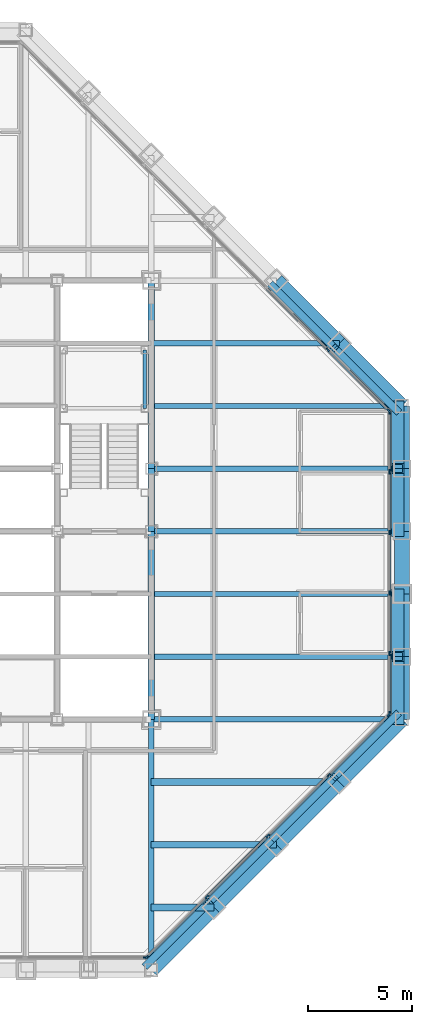
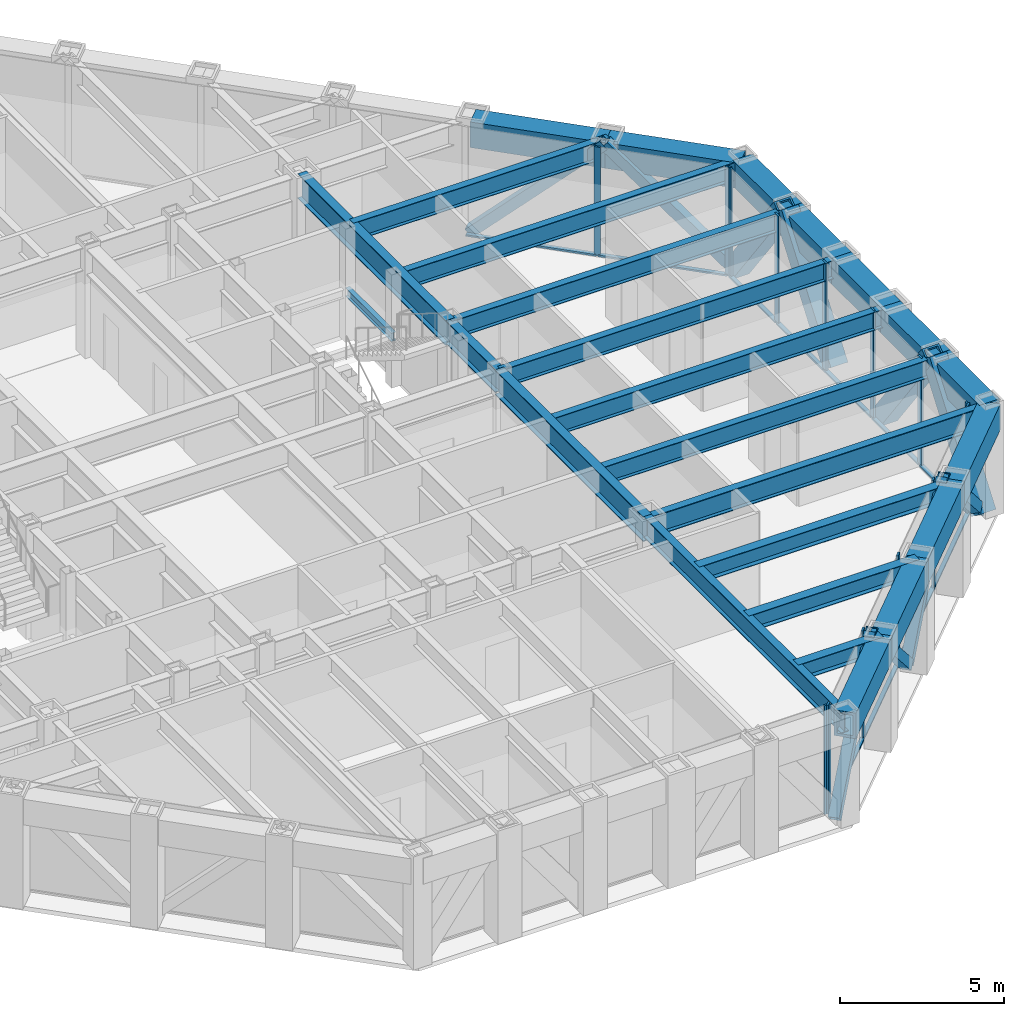
# One storey, part 7 of 16: 35 members, 26 beams, 4 elements without a shape of their own.
"""IFC4 building model written with IfcOpenShell, lengths in metres."""

from ifc_helpers import new_model, si_unit, direction, frame, origin, origin_2d, place, context, subcontext, project, spatial, rectangle, hollow_rectangle, i_section, extrude, material, layer, layer_set, material_profile, profile_set, type_object, element, aggregate, save


model = new_model("IFC4")

# Units and contexts
model_context = context("Model", 3, precision=1e-05, world=origin(), true_north=direction((0.0, 1.0)))
body_context = subcontext(model_context, "Body", "Model", "MODEL_VIEW")
ifc_project = project(units=[si_unit("LENGTHUNIT", "METRE"), si_unit("AREAUNIT", "SQUARE_METRE"), si_unit("VOLUMEUNIT", "CUBIC_METRE"), si_unit("PLANEANGLEUNIT", "RADIAN"), si_unit("MASSUNIT", "GRAM", prefix="KILO")], contexts=[model_context])

# Site, building, storey
site_placement = place(None, origin())
site = spatial("IfcSite", under=ifc_project, at=site_placement, CompositionType="ELEMENT")
building_placement = place(site_placement, origin())
building = spatial("IfcBuilding", under=site, at=building_placement, Name="Chuquiago Exchange Tower", CompositionType="ELEMENT")
storey_placement = place(building_placement, frame((0.0, 0.0, 243.300048828125)))
storey = spatial("IfcBuildingStorey", under=building, at=storey_placement, Name="L54", CompositionType="ELEMENT", Elevation=243.300048828125)

# Beams
ifc_material_1 = material(Name="Steel ASTM A992", Category="steel")
ifc_material_profile_1 = material_profile(ifc_material_1, i_section(OverallWidth=0.25390625, OverallDepth=0.683349609375, WebThickness=0.012451171875, FlangeThickness=0.018798828125, at=origin_2d()), Name="W27X94")
ifc_profile_set_1 = profile_set([ifc_material_profile_1], Name="Steel ASTM A992")
beam_type_1 = type_object("IfcBeamType", Name="B1 W27X94", PredefinedType="BEAM", material=ifc_profile_set_1)
for number, where, z_axis, x_axis, name in (
    (1, (33.0, 15.0, 3.6982421875), (1.0, 0.0, 0.0), (0.0, 1.0, 0.0), "FB-L55-infill-33_15-45_15-0"),
    (2, (33.0, 18.0, 3.6982421875), (1.0, 0.0, 0.0), (0.0, 1.0, 0.0), "FB-L55-infill-33_18-45_18-0"),
    (3, (33.0, 21.0, 3.6982421875), (1.0, 0.0, 0.0), (0.0, 1.0, 0.0), "FB-L55-infill-33_21-45_21-0"),
    (4, (33.0, 24.0, 3.6982421875), (1.0, 0.0, 0.0), (0.0, 1.0, 0.0), "FB-L55-infill-33_24-45_24-0"),
    (5, (33.0, 27.0, 3.6982421875), (1.0, 0.0, 0.0), (0.0, 1.0, 0.0), "FB-L55-infill-33_27-45_27-0"),
):
    element("IfcBeam", number, at=place(storey_placement, frame(where, z_axis=z_axis, x_axis=x_axis)), inside=storey, type_object=beam_type_1, Name=name, PredefinedType="BEAM", context=body_context, shape_type="SweptSolid", body=[
        extrude(i_section(OverallWidth=0.25390625, OverallDepth=0.683349609375, WebThickness=0.012451171875, FlangeThickness=0.018798828125, at=origin_2d()), origin(), (0.0, 0.0, 1.0), 12.0),
    ])
beam_1_placement = place(storey_placement, frame((33.0, 30.0, 3.6982421875), z_axis=(1.0, 0.0, 0.0), x_axis=(0.0, 1.0, 0.0)))
element("IfcBeam", 6, at=beam_1_placement, inside=storey, type_object=beam_type_1, Name="FB-L55-infill-33_30-42_30-0", PredefinedType="BEAM", context=body_context, shape_type="SweptSolid", body=[
    extrude(i_section(OverallWidth=0.25390625, OverallDepth=0.683349609375, WebThickness=0.012451171875, FlangeThickness=0.018798828125, at=origin_2d()), origin(), (0.0, 0.0, 1.0), 9.0),
])
ifc_material_2 = material(Name="Steel ASTM A992", Category="steel")
ifc_material_profile_2 = material_profile(ifc_material_2, i_section(OverallWidth=0.307373046875, OverallDepth=0.927001953125, WebThickness=0.01953125, FlangeThickness=0.031982421875, at=origin_2d()), Name="W36X194")
ifc_profile_set_2 = profile_set([ifc_material_profile_2], Name="Steel ASTM A992")
beam_type_2 = type_object("IfcBeamType", Name="B10 W36X194", PredefinedType="BEAM", material=ifc_profile_set_2)
for number, where, z_axis, x_axis, name in (
    (7, (33.0, 12.0, 3.576416015625), (0.0, 1.0, 0.0), (-1.0, 0.0, 0.0), "CB-L55-33_12-33_21"),
    (8, (33.0, 24.0, 3.576416015625), (0.0, 1.0, 0.0), (-1.0, 0.0, 0.0), "CB-L55-33_24-33_33"),
):
    element("IfcBeam", number, at=place(storey_placement, frame(where, z_axis=z_axis, x_axis=x_axis)), inside=storey, type_object=beam_type_2, Name=name, PredefinedType="BEAM", context=body_context, shape_type="SweptSolid", body=[
        extrude(i_section(OverallWidth=0.307373046875, OverallDepth=0.927001953125, WebThickness=0.01953125, FlangeThickness=0.031982421875, at=origin_2d()), origin(), (0.0, 0.0, 1.0), 9.0),
    ])
ifc_material_3 = material(Name="Steel ASTM A992", Category="steel")
ifc_material_profile_3 = material_profile(ifc_material_3, i_section(OverallWidth=0.3251953125, OverallDepth=0.612060546875, WebThickness=0.0126953125, FlangeThickness=0.01904296875, at=origin_2d()), Name="W24X104")
ifc_profile_set_3 = profile_set([ifc_material_profile_3], Name="Steel ASTM A992")
beam_type_3 = type_object("IfcBeamType", Name="B2 W24X104", PredefinedType="BEAM", material=ifc_profile_set_3)
beam_2_placement = place(storey_placement, frame((33.0, 3.0, 3.73388671875), z_axis=(1.0, 0.0, 0.0), x_axis=(0.0, 1.0, 0.0)))
element("IfcBeam", 9, at=beam_2_placement, inside=storey, type_object=beam_type_3, Name="FB-L55-corner-33_3-36_3-0", PredefinedType="BEAM", context=body_context, shape_type="SweptSolid", body=[
    extrude(i_section(OverallWidth=0.3251953125, OverallDepth=0.612060546875, WebThickness=0.0126953125, FlangeThickness=0.01904296875, at=origin_2d()), origin(), (0.0, 0.0, 1.0), 3.0),
])
beam_3_placement = place(storey_placement, frame((33.0, 6.0, 3.73388671875), z_axis=(1.0, 0.0, 0.0), x_axis=(0.0, 1.0, 0.0)))
element("IfcBeam", 10, at=beam_3_placement, inside=storey, type_object=beam_type_3, Name="FB-L55-corner-33_6-39_6-0", PredefinedType="BEAM", context=body_context, shape_type="SweptSolid", body=[
    extrude(i_section(OverallWidth=0.3251953125, OverallDepth=0.612060546875, WebThickness=0.0126953125, FlangeThickness=0.01904296875, at=origin_2d()), origin(), (0.0, 0.0, 1.0), 6.0),
])
beam_4_placement = place(storey_placement, frame((33.0, 9.0, 3.73388671875), z_axis=(1.0, 0.0, 0.0), x_axis=(0.0, 1.0, 0.0)))
element("IfcBeam", 11, at=beam_4_placement, inside=storey, type_object=beam_type_3, Name="FB-L55-corner-33_9-42_9-0", PredefinedType="BEAM", context=body_context, shape_type="SweptSolid", body=[
    extrude(i_section(OverallWidth=0.3251953125, OverallDepth=0.612060546875, WebThickness=0.0126953125, FlangeThickness=0.01904296875, at=origin_2d()), origin(), (0.0, 0.0, 1.0), 9.0),
])
ifc_material_4 = material(Name="Steel ASTM A992", Category="steel")
ifc_material_profile_4 = material_profile(ifc_material_4, i_section(OverallWidth=0.2919921875, OverallDepth=0.8583984375, WebThickness=0.01708984375, FlangeThickness=0.031005859375, at=origin_2d()), Name="W33X169")
ifc_profile_set_4 = profile_set([ifc_material_profile_4], Name="Steel ASTM A992")
beam_type_4 = type_object("IfcBeamType", Name="B3 W33X169", PredefinedType="BEAM", material=ifc_profile_set_4)
beam_5_placement = place(storey_placement, frame((33.0, 21.0, 3.610595703125), z_axis=(0.0, 1.0, 0.0), x_axis=(-1.0, 0.0, 0.0)))
element("IfcBeam", 12, at=beam_5_placement, inside=storey, type_object=beam_type_4, Name="CB-L55-33_21-33_24", PredefinedType="BEAM", context=body_context, shape_type="SweptSolid", body=[
    extrude(i_section(OverallWidth=0.2919921875, OverallDepth=0.8583984375, WebThickness=0.01708984375, FlangeThickness=0.031005859375, at=origin_2d()), origin(), (0.0, 0.0, 1.0), 3.0),
])

# Curtain wall, member
ifc_material_5 = material(Name="Aluminium curtain wall system", Category="aluminium")
ifc_layer_1 = layer(ifc_material_5, 0.22509765625)
ifc_layer_set_1 = layer_set([ifc_layer_1], Name="CW2 office curtain wall")
curtain_wall_type_1 = type_object("IfcCurtainWallType", Name="CW2 office curtain wall", PredefinedType="NOTDEFINED", material=ifc_layer_set_1)
curtain_wall_1_placement = place(storey_placement, origin())
curtain_wall_1 = element("IfcCurtainWall", 13, at=curtain_wall_1_placement, inside=storey, type_object=curtain_wall_type_1, Name="CW2 curtain wall L54", PredefinedType="NOTDEFINED")
ifc_material_6 = material(Name="Aluminium mullion, pale anodised", Category="aluminium")
ifc_material_profile_5 = material_profile(ifc_material_6, rectangle(XDim=0.06494140625, YDim=0.22509765625, at=origin_2d()), Name="AL 65x225")
ifc_profile_set_5 = profile_set([ifc_material_profile_5], Name="Aluminium mullion, pale anodised")
member_type_1 = type_object("IfcMemberType", Name="CW2-M mullion 65x225", PredefinedType="MULLION", material=ifc_profile_set_5)
member_1_placement = place(storey_placement, frame((32.718994140625, 0.60009765625, 0.0), z_axis=(0.0, 0.0, 1.0), x_axis=(0.0, 1.0, 0.0)))
member_1 = element("IfcMember", 14, at=member_1_placement, type_object=member_type_1, Name="CW2 mullion 6", PredefinedType="MULLION", context=body_context, shape_type="SweptSolid", body=[
    extrude(rectangle(XDim=0.06494140625, YDim=0.22509765625, at=origin_2d()), origin(), (0.0, 0.0, 1.0), 4.0400390625),
])
aggregate(curtain_wall_1, [member_1])

# Curtain wall, members
curtain_wall_2_placement = place(storey_placement, origin())
curtain_wall_2 = element("IfcCurtainWall", 15, at=curtain_wall_2_placement, inside=storey, type_object=curtain_wall_type_1, Name="CW2 curtain wall L54", PredefinedType="NOTDEFINED")
member_2_placement = place(storey_placement, frame((44.39990234375, 12.281005859375, 0.0), z_axis=(0.0, 0.0, 1.0), x_axis=(-1.0, 0.0, 0.0)))
member_2 = element("IfcMember", 16, at=member_2_placement, type_object=member_type_1, Name="CW2 mullion 1", PredefinedType="MULLION", context=body_context, shape_type="SweptSolid", body=[
    extrude(rectangle(XDim=0.06494140625, YDim=0.22509765625, at=origin_2d()), origin(), (0.0, 0.0, 1.0), 4.0400390625),
])
member_3_placement = place(storey_placement, frame((44.39990234375, 15.149169921875, 0.0), z_axis=(0.0, 0.0, 1.0), x_axis=(-1.0, 0.0, 0.0)))
member_3 = element("IfcMember", 17, at=member_3_placement, type_object=member_type_1, Name="CW2 mullion 2", PredefinedType="MULLION", context=body_context, shape_type="SweptSolid", body=[
    extrude(rectangle(XDim=0.06494140625, YDim=0.22509765625, at=origin_2d()), origin(), (0.0, 0.0, 1.0), 4.0400390625),
])
member_4_placement = place(storey_placement, frame((44.39990234375, 18.0498046875, 0.0), z_axis=(0.0, 0.0, 1.0), x_axis=(-1.0, 0.0, 0.0)))
member_4 = element("IfcMember", 18, at=member_4_placement, type_object=member_type_1, Name="CW2 mullion 3", PredefinedType="MULLION", context=body_context, shape_type="SweptSolid", body=[
    extrude(rectangle(XDim=0.06494140625, YDim=0.22509765625, at=origin_2d()), origin(), (0.0, 0.0, 1.0), 4.0400390625),
])
member_5_placement = place(storey_placement, frame((44.39990234375, 20.9501953125, 0.0), z_axis=(0.0, 0.0, 1.0), x_axis=(-1.0, 0.0, 0.0)))
member_5 = element("IfcMember", 19, at=member_5_placement, type_object=member_type_1, Name="CW2 mullion 4", PredefinedType="MULLION", context=body_context, shape_type="SweptSolid", body=[
    extrude(rectangle(XDim=0.06494140625, YDim=0.22509765625, at=origin_2d()), origin(), (0.0, 0.0, 1.0), 4.0400390625),
])
member_6_placement = place(storey_placement, frame((44.39990234375, 23.850830078125, 0.0), z_axis=(0.0, 0.0, 1.0), x_axis=(-1.0, 0.0, 0.0)))
member_6 = element("IfcMember", 20, at=member_6_placement, type_object=member_type_1, Name="CW2 mullion 5", PredefinedType="MULLION", context=body_context, shape_type="SweptSolid", body=[
    extrude(rectangle(XDim=0.06494140625, YDim=0.22509765625, at=origin_2d()), origin(), (0.0, 0.0, 1.0), 4.0400390625),
])
member_7_placement = place(storey_placement, frame((44.39990234375, 26.718994140625, 0.0), z_axis=(0.0, 0.0, 1.0), x_axis=(-1.0, 0.0, 0.0)))
member_7 = element("IfcMember", 21, at=member_7_placement, type_object=member_type_1, Name="CW2 mullion 6", PredefinedType="MULLION", context=body_context, shape_type="SweptSolid", body=[
    extrude(rectangle(XDim=0.06494140625, YDim=0.22509765625, at=origin_2d()), origin(), (0.0, 0.0, 1.0), 4.0400390625),
])
ifc_material_7 = material(Name="Aluminium transom, pale anodised", Category="aluminium")
ifc_material_profile_6 = material_profile(ifc_material_7, rectangle(XDim=0.139892578125, YDim=0.06494140625, at=origin_2d()), Name="AL 140x65")
ifc_profile_set_6 = profile_set([ifc_material_profile_6], Name="Aluminium transom, pale anodised")
member_type_2 = type_object("IfcMemberType", Name="CW2-T transom 65x140", PredefinedType="MULLION", material=ifc_profile_set_6)
member_8_placement = place(storey_placement, frame((44.39990234375, 12.3134765625, 0.032470703125), z_axis=(0.0, 1.0, 0.0), x_axis=(-1.0, 0.0, 0.0)))
member_8 = element("IfcMember", 22, at=member_8_placement, type_object=member_type_2, Name="CW2 transom 1.1", PredefinedType="MULLION", context=body_context, shape_type="SweptSolid", body=[
    extrude(rectangle(XDim=0.139892578125, YDim=0.06494140625, at=origin_2d()), origin(), (0.0, 0.0, 1.0), 2.80322265625),
])
member_9_placement = place(storey_placement, frame((44.39990234375, 15.181640625, 0.032470703125), z_axis=(0.0, 1.0, 0.0), x_axis=(-1.0, 0.0, 0.0)))
member_9 = element("IfcMember", 23, at=member_9_placement, type_object=member_type_2, Name="CW2 transom 2.1", PredefinedType="MULLION", context=body_context, shape_type="SweptSolid", body=[
    extrude(rectangle(XDim=0.139892578125, YDim=0.06494140625, at=origin_2d()), origin(), (0.0, 0.0, 1.0), 2.83544921875),
])
member_10_placement = place(storey_placement, frame((44.39990234375, 18.082275390625, 0.032470703125), z_axis=(0.0, 1.0, 0.0), x_axis=(-1.0, 0.0, 0.0)))
member_10 = element("IfcMember", 24, at=member_10_placement, type_object=member_type_2, Name="CW2 transom 3.1", PredefinedType="MULLION", context=body_context, shape_type="SweptSolid", body=[
    extrude(rectangle(XDim=0.139892578125, YDim=0.06494140625, at=origin_2d()), origin(), (0.0, 0.0, 1.0), 2.83544921875),
])
member_11_placement = place(storey_placement, frame((44.39990234375, 20.98291015625, 0.032470703125), z_axis=(0.0, 1.0, 0.0), x_axis=(-1.0, 0.0, 0.0)))
member_11 = element("IfcMember", 25, at=member_11_placement, type_object=member_type_2, Name="CW2 transom 4.1", PredefinedType="MULLION", context=body_context, shape_type="SweptSolid", body=[
    extrude(rectangle(XDim=0.139892578125, YDim=0.06494140625, at=origin_2d()), origin(), (0.0, 0.0, 1.0), 2.83544921875),
])
member_12_placement = place(storey_placement, frame((44.39990234375, 23.88330078125, 0.032470703125), z_axis=(0.0, 1.0, 0.0), x_axis=(-1.0, 0.0, 0.0)))
member_12 = element("IfcMember", 26, at=member_12_placement, type_object=member_type_2, Name="CW2 transom 5.1", PredefinedType="MULLION", context=body_context, shape_type="SweptSolid", body=[
    extrude(rectangle(XDim=0.139892578125, YDim=0.06494140625, at=origin_2d()), origin(), (0.0, 0.0, 1.0), 2.80322265625),
])
aggregate(curtain_wall_2, [member_2, member_3, member_4, member_5, member_6, member_7, member_8, member_9, member_10, member_11, member_12])

ifc_material_8 = material(Name="Aluminium curtain wall system", Category="aluminium")
ifc_layer_2 = layer(ifc_material_8, 0.199951171875)
ifc_layer_set_2 = layer_set([ifc_layer_2], Name="CW3 facet curtain wall")
curtain_wall_type_2 = type_object("IfcCurtainWallType", Name="CW3 facet curtain wall", PredefinedType="NOTDEFINED", material=ifc_layer_set_2)
curtain_wall_3_placement = place(storey_placement, origin())
curtain_wall_3 = element("IfcCurtainWall", 27, at=curtain_wall_3_placement, inside=storey, type_object=curtain_wall_type_2, Name="CW3 curtain wall L54", PredefinedType="NOTDEFINED")
ifc_material_9 = material(Name="Aluminium mullion, pale anodised", Category="aluminium")
ifc_material_profile_7 = material_profile(ifc_material_9, rectangle(XDim=0.06494140625, YDim=0.199951171875, at=origin_2d()), Name="AL 65x200")
ifc_profile_set_7 = profile_set([ifc_material_profile_7], Name="Aluminium mullion, pale anodised")
member_type_3 = type_object("IfcMemberType", Name="CW3-M mullion 65x200", PredefinedType="MULLION", material=ifc_profile_set_7)
member_13_placement = place(storey_placement, frame((32.7744140625, 0.623046875, 0.0), z_axis=(0.0, 0.0, 1.0), x_axis=(-0.707106781187, 0.707106781187, 0.0)))
member_13 = element("IfcMember", 28, at=member_13_placement, type_object=member_type_3, Name="CW3 mullion 1", PredefinedType="MULLION", context=body_context, shape_type="SweptSolid", body=[
    extrude(rectangle(XDim=0.06494140625, YDim=0.199951171875, at=origin_2d()), origin(), (0.0, 0.0, 1.0), 4.0400390625),
])
member_14_placement = place(storey_placement, frame((35.66357421875, 3.51220703125, 0.0), z_axis=(0.0, 0.0, 1.0), x_axis=(-0.707106781187, 0.707106781187, 0.0)))
member_14 = element("IfcMember", 29, at=member_14_placement, type_object=member_type_3, Name="CW3 mullion 2", PredefinedType="MULLION", context=body_context, shape_type="SweptSolid", body=[
    extrude(rectangle(XDim=0.06494140625, YDim=0.199951171875, at=origin_2d()), origin(), (0.0, 0.0, 1.0), 4.0400390625),
])
member_15_placement = place(storey_placement, frame((38.57568359375, 6.42431640625, 0.0), z_axis=(0.0, 0.0, 1.0), x_axis=(-0.707106781187, 0.707106781187, 0.0)))
member_15 = element("IfcMember", 30, at=member_15_placement, type_object=member_type_3, Name="CW3 mullion 3", PredefinedType="MULLION", context=body_context, shape_type="SweptSolid", body=[
    extrude(rectangle(XDim=0.06494140625, YDim=0.199951171875, at=origin_2d()), origin(), (0.0, 0.0, 1.0), 4.0400390625),
])
member_16_placement = place(storey_placement, frame((41.48779296875, 9.33642578125, 0.0), z_axis=(0.0, 0.0, 1.0), x_axis=(-0.707106781187, 0.707106781187, 0.0)))
member_16 = element("IfcMember", 31, at=member_16_placement, type_object=member_type_3, Name="CW3 mullion 4", PredefinedType="MULLION", context=body_context, shape_type="SweptSolid", body=[
    extrude(rectangle(XDim=0.06494140625, YDim=0.199951171875, at=origin_2d()), origin(), (0.0, 0.0, 1.0), 4.0400390625),
])
member_17_placement = place(storey_placement, frame((44.376953125, 12.2255859375, 0.0), z_axis=(0.0, 0.0, 1.0), x_axis=(-0.707106781187, 0.707106781187, 0.0)))
member_17 = element("IfcMember", 32, at=member_17_placement, type_object=member_type_3, Name="CW3 mullion 5", PredefinedType="MULLION", context=body_context, shape_type="SweptSolid", body=[
    extrude(rectangle(XDim=0.06494140625, YDim=0.199951171875, at=origin_2d()), origin(), (0.0, 0.0, 1.0), 4.0400390625),
])

curtain_wall_4_placement = place(storey_placement, origin())
curtain_wall_4 = element("IfcCurtainWall", 33, at=curtain_wall_4_placement, inside=storey, type_object=curtain_wall_type_2, Name="CW3 curtain wall L54", PredefinedType="NOTDEFINED")
member_18_placement = place(storey_placement, frame((44.376953125, 26.7744140625, 0.0), z_axis=(0.0, 0.0, 1.0), x_axis=(-0.707106781187, -0.707106781187, 0.0)))
member_18 = element("IfcMember", 34, at=member_18_placement, type_object=member_type_3, Name="CW3 mullion 1", PredefinedType="MULLION", context=body_context, shape_type="SweptSolid", body=[
    extrude(rectangle(XDim=0.06494140625, YDim=0.199951171875, at=origin_2d()), origin(), (0.0, 0.0, 1.0), 4.0400390625),
])
member_19_placement = place(storey_placement, frame((41.45849609375, 29.69287109375, 0.0), z_axis=(0.0, 0.0, 1.0), x_axis=(-0.707106781187, -0.707106781187, 0.0)))
member_19 = element("IfcMember", 35, at=member_19_placement, type_object=member_type_3, Name="CW3 mullion 2", PredefinedType="MULLION", context=body_context, shape_type="SweptSolid", body=[
    extrude(rectangle(XDim=0.06494140625, YDim=0.199951171875, at=origin_2d()), origin(), (0.0, 0.0, 1.0), 4.0400390625),
])

# Member
ifc_material_10 = material(Name="Aluminium transom, pale anodised", Category="aluminium")
ifc_material_profile_8 = material_profile(ifc_material_10, rectangle(XDim=0.139892578125, YDim=0.06494140625, at=origin_2d()), Name="AL 140x65")
ifc_profile_set_8 = profile_set([ifc_material_profile_8], Name="Aluminium transom, pale anodised")
member_type_4 = type_object("IfcMemberType", Name="CW3-T transom 65x140", PredefinedType="MULLION", material=ifc_profile_set_8)
member_20_placement = place(storey_placement, frame((32.79736328125, 0.64599609375, 0.032470703125), z_axis=(0.707106781187, 0.707106781187, 0.0), x_axis=(-0.707106781187, 0.707106781187, 0.0)))
member_20 = element("IfcMember", 36, at=member_20_placement, type_object=member_type_4, Name="CW3 transom 1.1", PredefinedType="MULLION", context=body_context, shape_type="SweptSolid", body=[
    extrude(rectangle(XDim=0.139892578125, YDim=0.06494140625, at=origin_2d()), origin(), (0.0, 0.0, 1.0), 4.02099609375),
])

member_21_placement = place(storey_placement, frame((35.6865234375, 3.53515625, 0.032470703125), z_axis=(0.707106781187, 0.707106781187, 0.0), x_axis=(-0.707106781187, 0.707106781187, 0.0)))
member_21 = element("IfcMember", 37, at=member_21_placement, type_object=member_type_4, Name="CW3 transom 2.1", PredefinedType="MULLION", context=body_context, shape_type="SweptSolid", body=[
    extrude(rectangle(XDim=0.139892578125, YDim=0.06494140625, at=origin_2d()), origin(), (0.0, 0.0, 1.0), 4.053466796875),
])

member_22_placement = place(storey_placement, frame((38.5986328125, 6.447265625, 0.032470703125), z_axis=(0.707106781187, 0.707106781187, 0.0), x_axis=(-0.707106781187, 0.707106781187, 0.0)))
member_22 = element("IfcMember", 38, at=member_22_placement, type_object=member_type_4, Name="CW3 transom 3.1", PredefinedType="MULLION", context=body_context, shape_type="SweptSolid", body=[
    extrude(rectangle(XDim=0.139892578125, YDim=0.06494140625, at=origin_2d()), origin(), (0.0, 0.0, 1.0), 4.053466796875),
])

member_23_placement = place(storey_placement, frame((41.5107421875, 9.359375, 0.032470703125), z_axis=(0.707106781187, 0.707106781187, 0.0), x_axis=(-0.707106781187, 0.707106781187, 0.0)))
member_23 = element("IfcMember", 39, at=member_23_placement, type_object=member_type_4, Name="CW3 transom 4.1", PredefinedType="MULLION", context=body_context, shape_type="SweptSolid", body=[
    extrude(rectangle(XDim=0.139892578125, YDim=0.06494140625, at=origin_2d()), origin(), (0.0, 0.0, 1.0), 4.02099609375),
])

aggregate(curtain_wall_3, [member_13, member_14, member_15, member_16, member_17, member_20, member_21, member_22, member_23])

member_24_placement = place(storey_placement, frame((44.35400390625, 26.79736328125, 0.032470703125), z_axis=(-0.707106781187, 0.707106781187, 0.0), x_axis=(-0.707106781187, -0.707106781187, 0.0)))
member_24 = element("IfcMember", 40, at=member_24_placement, type_object=member_type_4, Name="CW3 transom 1.1", PredefinedType="MULLION", context=body_context, shape_type="SweptSolid", body=[
    extrude(rectangle(XDim=0.139892578125, YDim=0.06494140625, at=origin_2d()), origin(), (0.0, 0.0, 1.0), 4.0625),
])

member_25_placement = place(storey_placement, frame((41.435546875, 29.7158203125, 0.032470703125), z_axis=(-0.707106781187, 0.707106781187, 0.0), x_axis=(-0.707106781187, -0.707106781187, 0.0)))
member_25 = element("IfcMember", 41, at=member_25_placement, type_object=member_type_4, Name="CW3 transom 2.1", PredefinedType="MULLION", context=body_context, shape_type="SweptSolid", body=[
    extrude(rectangle(XDim=0.139892578125, YDim=0.06494140625, at=origin_2d()), origin(), (0.0, 0.0, 1.0), 4.094970703125),
])

aggregate(curtain_wall_4, [member_18, member_19, member_24, member_25])

# Beams
ifc_material_11 = material(Name="Steel ASTM A992", Category="steel")
ifc_material_profile_9 = material_profile(ifc_material_11, i_section(OverallWidth=0.2666015625, OverallDepth=0.76953125, WebThickness=0.015625, FlangeThickness=0.025390625, at=origin_2d()), Name="W30X132")
ifc_profile_set_9 = profile_set([ifc_material_profile_9], Name="Steel ASTM A992")
beam_type_5 = type_object("IfcBeamType", Name="G1 W30X132", PredefinedType="BEAM", material=ifc_profile_set_9)
for number, where, z_axis, x_axis, name in (
    (42, (33.0, 12.0, 3.655029296875), (0.0, -1.0, 0.0), (1.0, 0.0, 0.0), "FB-L55-girder-33_12-33_-0-0"),
    (43, (33.0, 12.0, 3.655029296875), (1.0, 0.0, 0.0), (0.0, 1.0, 0.0), "FB-L55-girder-33_12-45_12-0"),
):
    element("IfcBeam", number, at=place(storey_placement, frame(where, z_axis=z_axis, x_axis=x_axis)), inside=storey, type_object=beam_type_5, Name=name, PredefinedType="BEAM", context=body_context, shape_type="SweptSolid", body=[
        extrude(i_section(OverallWidth=0.2666015625, OverallDepth=0.76953125, WebThickness=0.015625, FlangeThickness=0.025390625, at=origin_2d()), origin(), (0.0, 0.0, 1.0), 12.0),
    ])

# Members
ifc_material_12 = material(Name="Steel ASTM A500 Grade C", Category="steel")
ifc_material_profile_10 = material_profile(ifc_material_12, hollow_rectangle(XDim=0.355712890625, YDim=0.355712890625, WallThickness=0.0146484375, at=origin_2d()), Name="HSS14X14X5/8")
ifc_profile_set_10 = profile_set([ifc_material_profile_10], Name="Steel ASTM A500 Grade C")
member_type_5 = type_object("IfcMemberType", Name="LB2 HSS14X14X5/8", PredefinedType="BRACE", material=ifc_profile_set_10)
for number, where, z_axis, x_axis, name in (
    (44, (32.7685546875, 0.2314453125, 0.0), (0.512077265487, 0.512077265487, 0.689604051861), (-0.707106781187, 0.707106781187, 0.0), "LB-L54-33_0-36_3"),
    (45, (38.7685546875, 6.2314453125, 0.0), (-0.512077265487, -0.512077265487, 0.689604051861), (0.707106781187, -0.707106781187, 0.0), "LB-L54-36_3-39_6"),
    (46, (38.7685546875, 6.2314453125, 0.0), (0.512077265487, 0.512077265487, 0.689604051861), (-0.707106781187, 0.707106781187, 0.0), "LB-L54-39_6-42_9"),
    (47, (44.7685546875, 12.2314453125, 0.0), (-0.512077265487, -0.512077265487, 0.689604051861), (0.707106781187, -0.707106781187, 0.0), "LB-L54-42_9-45_12"),
    (48, (44.7685546875, 26.7685546875, 0.0), (-0.512077265487, 0.512077265487, 0.689604051861), (-0.707106781187, -0.707106781187, 0.0), "LB-L54-45_27-42_30"),
    (49, (38.7685546875, 32.7685546875, 0.0), (0.512077265487, -0.512077265487, 0.689604051861), (0.707106781187, 0.707106781187, 0.0), "LB-L54-42_30-39_33"),
):
    element("IfcMember", number, at=place(storey_placement, frame(where, z_axis=z_axis, x_axis=x_axis)), inside=storey, type_object=member_type_5, Name=name, PredefinedType="BRACE", context=body_context, shape_type="SweptSolid", body=[
        extrude(hollow_rectangle(XDim=0.355712890625, YDim=0.355712890625, WallThickness=0.0146484375, at=origin_2d()), origin(), (0.0, 0.0, 1.0), 5.8583984375),
    ])

# Beam
ifc_material_13 = material(Name="Steel ASTM A992", Category="steel")
ifc_material_profile_11 = material_profile(ifc_material_13, i_section(OverallWidth=0.164794921875, OverallDepth=0.309814453125, WebThickness=0.005859375, FlangeThickness=0.009765625, at=origin_2d()), Name="W12X26")
ifc_profile_set_11 = profile_set([ifc_material_profile_11], Name="Steel ASTM A992")
beam_type_6 = type_object("IfcBeamType", Name="LS1 W12X26", PredefinedType="BEAM", material=ifc_profile_set_11)
beam_6_placement = place(storey_placement, frame((32.68994140625, 26.889892578125, 1.7451171875), z_axis=(0.0, 1.0, 0.0), x_axis=(-1.0, 0.0, 0.0)))
element("IfcBeam", 50, at=beam_6_placement, inside=storey, type_object=beam_type_6, Name="Stair ST2 L54 landing 1 stringer", PredefinedType="BEAM", context=body_context, shape_type="SweptSolid", body=[
    extrude(i_section(OverallWidth=0.164794921875, OverallDepth=0.309814453125, WebThickness=0.005859375, FlangeThickness=0.009765625, at=origin_2d()), origin(), (0.0, 0.0, 1.0), 2.800048828125),
])

# Members
ifc_material_14 = material(Name="Steel ASTM A572 Grade 50", Category="steel")
ifc_material_profile_12 = material_profile(ifc_material_14, hollow_rectangle(XDim=0.60009765625, YDim=0.60009765625, WallThickness=0.06005859375, at=origin_2d()), Name="BOX600X600X60")
ifc_profile_set_12 = profile_set([ifc_material_profile_12], Name="Steel ASTM A572 Grade 50")
member_type_6 = type_object("IfcMemberType", Name="MB3 BOX600X600X60", PredefinedType="BRACE", material=ifc_profile_set_12)
for number, where, z_axis, x_axis, name in (
    (51, (44.794921875, 12.0, 0.0), (0.0, 0.596173923302, 0.802855312728), (-1.0, 0.0, 0.0), "Mega diagonal L54 E face"),
    (52, (44.794921875, 18.0, 0.0), (0.0, -0.596173923302, 0.802855312728), (1.0, 0.0, 0.0), "Mega diagonal L54 E face"),
    (53, (44.794921875, 21.0, 0.0), (0.0, 0.596173923302, 0.802855312728), (-1.0, 0.0, 0.0), "Mega diagonal L54 E face"),
    (54, (44.794921875, 27.0, 0.0), (0.0, -0.596173923302, 0.802855312728), (1.0, 0.0, 0.0), "Mega diagonal L54 E face"),
):
    element("IfcMember", number, at=place(storey_placement, frame(where, z_axis=z_axis, x_axis=x_axis)), inside=storey, type_object=member_type_6, Name=name, PredefinedType="BRACE", context=body_context, shape_type="SweptSolid", body=[
        extrude(hollow_rectangle(XDim=0.60009765625, YDim=0.60009765625, WallThickness=0.06005859375, at=origin_2d()), origin(), (0.0, 0.0, 1.0), 5.031982421875),
    ])

# Beams
ifc_material_15 = material(Name="Steel ASTM A572 Grade 50", Category="steel")
ifc_material_profile_13 = material_profile(ifc_material_15, hollow_rectangle(XDim=0.699951171875, YDim=0.949951171875, WallThickness=0.10009765625, at=origin_2d()), Name="BOX950X700X100")
ifc_profile_set_13 = profile_set([ifc_material_profile_13], Name="Steel ASTM A572 Grade 50")
beam_type_7 = type_object("IfcBeamType", Name="SP5 BOX950X700X100", PredefinedType="SPANDREL", material=ifc_profile_set_13)
for number, where, z_axis, x_axis, name in (
    (55, (33.0, 0.0, 3.56494140625), (0.707106781187, 0.707106781187, 0.0), (-0.707106781187, 0.707106781187, 0.0), "SPB-L55-33_0-36_3"),
    (56, (36.0, 3.0, 3.56494140625), (0.707106781187, 0.707106781187, 0.0), (-0.707106781187, 0.707106781187, 0.0), "SPB-L55-36_3-39_6"),
    (57, (39.0, 6.0, 3.56494140625), (0.707106781187, 0.707106781187, 0.0), (-0.707106781187, 0.707106781187, 0.0), "SPB-L55-39_6-42_9"),
    (58, (42.0, 9.0, 3.56494140625), (0.707106781187, 0.707106781187, 0.0), (-0.707106781187, 0.707106781187, 0.0), "SPB-L55-42_9-45_12"),
):
    element("IfcBeam", number, at=place(storey_placement, frame(where, z_axis=z_axis, x_axis=x_axis)), inside=storey, type_object=beam_type_7, Name=name, PredefinedType="SPANDREL", context=body_context, shape_type="SweptSolid", body=[
        extrude(hollow_rectangle(XDim=0.699951171875, YDim=0.949951171875, WallThickness=0.10009765625, at=origin_2d()), origin(), (0.0, 0.0, 1.0), 4.24267578125),
    ])
for number, where, z_axis, x_axis, name in (
    (59, (45.0, 12.0, 3.56494140625), (0.0, 1.0, 0.0), (-1.0, 0.0, 0.0), "SPB-L55-45_12-45_15"),
    (60, (45.0, 15.0, 3.56494140625), (0.0, 1.0, 0.0), (-1.0, 0.0, 0.0), "SPB-L55-45_15-45_18"),
    (61, (45.0, 18.0, 3.56494140625), (0.0, 1.0, 0.0), (-1.0, 0.0, 0.0), "SPB-L55-45_18-45_21"),
    (62, (45.0, 21.0, 3.56494140625), (0.0, 1.0, 0.0), (-1.0, 0.0, 0.0), "SPB-L55-45_21-45_24"),
    (63, (45.0, 24.0, 3.56494140625), (0.0, 1.0, 0.0), (-1.0, 0.0, 0.0), "SPB-L55-45_24-45_27"),
):
    element("IfcBeam", number, at=place(storey_placement, frame(where, z_axis=z_axis, x_axis=x_axis)), inside=storey, type_object=beam_type_7, Name=name, PredefinedType="SPANDREL", context=body_context, shape_type="SweptSolid", body=[
        extrude(hollow_rectangle(XDim=0.699951171875, YDim=0.949951171875, WallThickness=0.10009765625, at=origin_2d()), origin(), (0.0, 0.0, 1.0), 3.0),
    ])
for number, where, z_axis, x_axis, name in (
    (64, (45.0, 27.0, 3.56494140625), (-0.707106781187, 0.707106781187, 0.0), (-0.707106781187, -0.707106781187, 0.0), "SPB-L55-45_27-42_30"),
    (65, (42.0, 30.0, 3.56494140625), (-0.707106781187, 0.707106781187, 0.0), (-0.707106781187, -0.707106781187, 0.0), "SPB-L55-42_30-39_33"),
):
    element("IfcBeam", number, at=place(storey_placement, frame(where, z_axis=z_axis, x_axis=x_axis)), inside=storey, type_object=beam_type_7, Name=name, PredefinedType="SPANDREL", context=body_context, shape_type="SweptSolid", body=[
        extrude(hollow_rectangle(XDim=0.699951171875, YDim=0.949951171875, WallThickness=0.10009765625, at=origin_2d()), origin(), (0.0, 0.0, 1.0), 4.24267578125),
    ])

save(model, "model.ifc")
